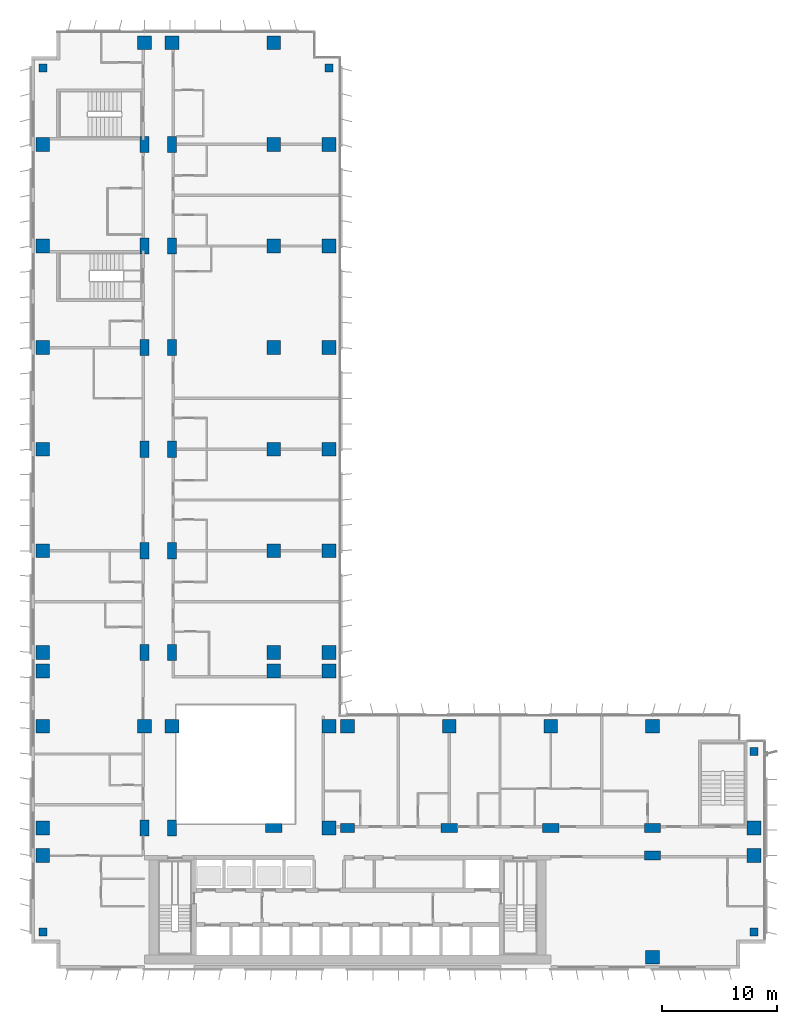
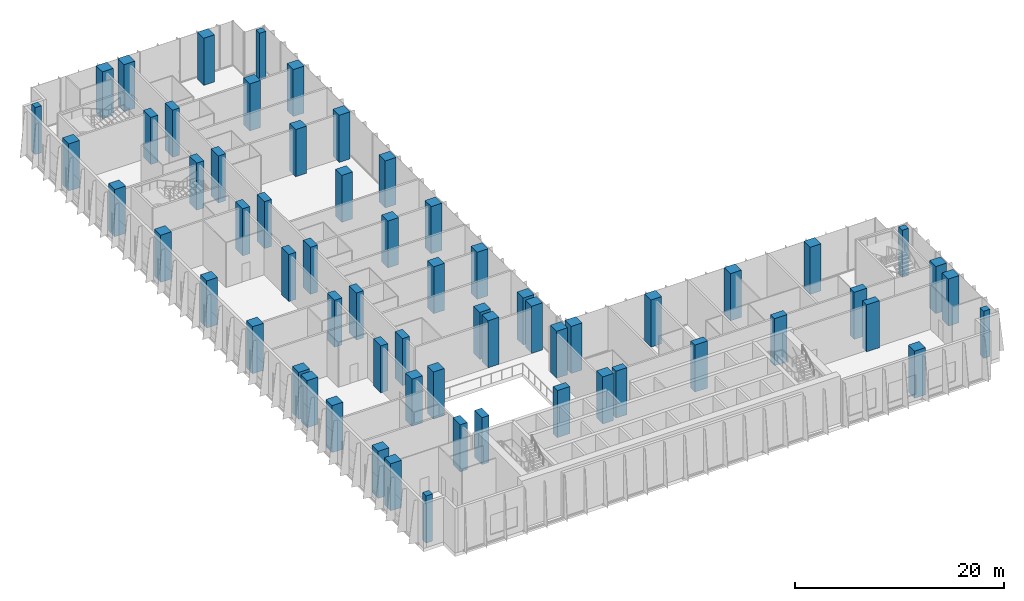
# One storey, part 1 of 26: 63 columns.
"""IFC4 building model written with IfcOpenShell, lengths in metres."""

import ifcopenshell
import ifcopenshell.guid

model = None  # the IFC model being written
_history = None  # IfcOwnerHistory: only IFC2X3 demands one
_inside = {}  # id of a spatial element -> (the spatial element, [elements in it])
_under = {}  # id of a project, library or spatial element -> (it, [spatial elements below it])
_declared = {}  # id of a project -> (the project, [libraries it declares])
_typed = {}  # id of a type object -> (the type object, [elements of that type])
_made_of = {}  # id of a material, layer set ... -> (it, [elements and type objects made of it])


def new_model(schema):
    """Start an empty IFC model of exactly this schema.

    Asked for "IFC4X3", IfcOpenShell would pick the latest addendum, in which some entities
    have other attributes; the version numbers below select the first issue.
    IFC2X3 requires an IfcOwnerHistory on every rooted entity: one is made here for all.
    """
    global model, _history
    if schema == "IFC4X3":
        model = ifcopenshell.file(schema_version=(4, 3, 0, 0))
    else:
        model = ifcopenshell.file(schema=schema)
    _inside.clear()
    _under.clear()
    _declared.clear()
    _typed.clear()
    _made_of.clear()
    _history = None
    if model.schema == "IFC2X3":
        org = make("IfcOrganization", Name="unknown")
        user = make(
            "IfcPersonAndOrganization",
            ThePerson=make("IfcPerson", FamilyName="unknown"),
            TheOrganization=org,
        )
        app = make(
            "IfcApplication",
            ApplicationDeveloper=org,
            Version="unknown",
            ApplicationFullName="unknown",
            ApplicationIdentifier="unknown",
        )
        _history = make(
            "IfcOwnerHistory",
            OwningUser=user,
            OwningApplication=app,
            ChangeAction="ADDED",
            CreationDate=0,
        )
    return model


def make(cls, **values):
    """One entity of the class cls with the attributes given. An attribute that is None is left unset."""
    return model.create_entity(
        cls, **{name: value for name, value in values.items() if value is not None}
    )


def rooted(cls, **values):
    """An entity with a GlobalId (a new one), such as an element, a storey or a relation."""
    return make(cls, GlobalId=ifcopenshell.guid.new(), OwnerHistory=_history, **values)


def si_unit(unit_type, name, prefix=None):
    """IfcSIUnit, for example si_unit("LENGTHUNIT", "METRE", prefix="MILLI")."""
    return make("IfcSIUnit", UnitType=unit_type, Prefix=prefix, Name=name)


def assignment(units):
    """IfcUnitAssignment: the units of a project."""
    return None if units is None else make("IfcUnitAssignment", Units=units)


def point(xyz):
    """IfcCartesianPoint."""
    return None if xyz is None else make("IfcCartesianPoint", Coordinates=xyz)


def direction(xyz):
    """IfcDirection."""
    return None if xyz is None else make("IfcDirection", DirectionRatios=xyz)


def frame(location, z_axis=None, x_axis=None):
    """IfcAxis2Placement3D, a coordinate frame: its origin and axes. An axis left out is left unset."""
    return make(
        "IfcAxis2Placement3D",
        Location=point(location),
        Axis=direction(z_axis),
        RefDirection=direction(x_axis),
    )


def frame_2d(location, x_axis=None):
    """IfcAxis2Placement2D, a coordinate frame in the plane: its origin and x axis."""
    return make(
        "IfcAxis2Placement2D", Location=point(location), RefDirection=direction(x_axis)
    )


def origin():
    """The frame at (0, 0, 0) with its axes left unset."""
    return frame((0.0, 0.0, 0.0))


def origin_2d():
    """The frame at (0, 0) in the plane with its x axis left unset."""
    return frame_2d((0.0, 0.0))


def place(relative_to, where):
    """IfcLocalPlacement: puts the frame where relative to a parent placement (None: the world)."""
    return make(
        "IfcLocalPlacement", PlacementRelTo=relative_to, RelativePlacement=where
    )


def context(
    kind, dimensions, precision=None, world=None, true_north=None, identifier=None
):
    """IfcGeometricRepresentationContext, for example the 3D "Model" context."""
    return make(
        "IfcGeometricRepresentationContext",
        ContextIdentifier=identifier,
        ContextType=kind,
        CoordinateSpaceDimension=dimensions,
        Precision=precision,
        WorldCoordinateSystem=world,
        TrueNorth=true_north,
    )


def subcontext(parent, identifier, kind, view, scale=None):
    """IfcGeometricRepresentationSubContext, for example "Body" below "Model"."""
    return make(
        "IfcGeometricRepresentationSubContext",
        ContextIdentifier=identifier,
        ContextType=kind,
        ParentContext=parent,
        TargetScale=scale,
        TargetView=view,
    )


def project(units=None, contexts=None):
    """IfcProject with its units and contexts."""
    return rooted(
        "IfcProject",
        Name="project",
        RepresentationContexts=contexts,
        UnitsInContext=assignment(units),
    )


def spatial(cls, under=None, at=None, **own):
    """A site, building, storey or space (cls), placed at a placement, below another one or the project."""
    s = rooted(cls, ObjectPlacement=at, **own)
    if under is not None:
        _under.setdefault(under.id(), (under, []))[1].append(s)
    return s


def profile(cls, at=None, kind="AREA", **sizes):
    """A parametric profile (cls). Its sizes go by their IFC names, for example OverallWidth=200.0."""
    return make(cls, ProfileType=kind, Position=at, **sizes)


def rectangle(**sizes):
    """IfcRectangleProfileDef."""
    return profile("IfcRectangleProfileDef", **sizes)


def extrude(swept, where, along, depth):
    """IfcExtrudedAreaSolid: the profile swept, set in the frame where, extruded along a direction by depth."""
    return make(
        "IfcExtrudedAreaSolid",
        SweptArea=swept,
        Position=where,
        ExtrudedDirection=direction(along),
        Depth=depth,
    )


def shape(context_of_items, identifier, shape_type, items):
    """IfcShapeRepresentation: the items that make up one representation, for example the "Body"."""
    return make(
        "IfcShapeRepresentation",
        ContextOfItems=context_of_items,
        RepresentationIdentifier=identifier,
        RepresentationType=shape_type,
        Items=items,
    )


def material(Name=None, Category=None):
    """IfcMaterial."""
    return make("IfcMaterial", Name=Name, Category=Category)


def material_profile(
    of_material, cross_section, Name=None, Category=None, Priority=None
):
    """IfcMaterialProfile: a cross section and its material."""
    return make(
        "IfcMaterialProfile",
        Name=Name,
        Material=of_material,
        Profile=cross_section,
        Priority=Priority,
        Category=Category,
    )


def profile_set(profiles, Name=None, composite=None):
    """IfcMaterialProfileSet."""
    return make(
        "IfcMaterialProfileSet",
        Name=Name,
        MaterialProfiles=profiles,
        CompositeProfile=composite,
    )


def made_of(thing, what):
    """Note that an element or type object is made of a material, layer set ...; save() writes the relation."""
    if what is not None:
        _made_of.setdefault(what.id(), (what, []))[1].append(thing)
    return thing


def type_object(cls, material=None, **own):
    """A type object (cls), such as IfcWallType, which elements share."""
    return made_of(rooted(cls, **own), material)


def element(
    cls,
    number,
    at=None,
    inside=None,
    cuts=None,
    type_object=None,
    material=None,
    context=None,
    identifier="Body",
    shape_type=None,
    held_by="IfcProductDefinitionShape",
    body=None,
    shapes=None,
    **own,
):
    """One element of the class cls, such as IfcWall. Its Tag is "e" and its number.

    at: its placement. inside: the storey or other place that contains it. cuts: it is an
    opening in that element (IfcRelVoidsElement). A single representation is given by context,
    identifier, shape_type and body (its items); several are given by shapes. held_by: the class
    of the entity that holds the representations. save() writes the other relations.
    """
    e = rooted(cls, Tag="e%d" % number, ObjectPlacement=at, **own)
    if body is not None:
        shapes = [shape(context, identifier, shape_type, body)]
    if shapes is not None:
        e.Representation = make(held_by, Representations=shapes)
    if inside is not None:
        _inside.setdefault(inside.id(), (inside, []))[1].append(e)
    if cuts is not None:
        rooted(
            "IfcRelVoidsElement", RelatingBuildingElement=cuts, RelatedOpeningElement=e
        )
    if type_object is not None:
        _typed.setdefault(type_object.id(), (type_object, []))[1].append(e)
    return made_of(e, material)


def aggregate(whole, parts):
    """IfcRelAggregates: a whole, such as a stair, and the parts it consists of."""
    return rooted("IfcRelAggregates", RelatingObject=whole, RelatedObjects=parts)


def save(model, path):
    """Write the relations noted so far, then the file.

    IfcRelAggregates (storeys below a building ...), IfcRelContainedInSpatialStructure (elements
    in a storey), IfcRelDefinesByType, IfcRelAssociatesMaterial and IfcRelDeclares: one each for
    every whole, place, type object, material and project.
    """
    for whole, parts in _under.values():
        aggregate(whole, parts)
    for where, things in _inside.values():
        rooted(
            "IfcRelContainedInSpatialStructure",
            RelatedElements=things,
            RelatingStructure=where,
        )
    for kind, things in _typed.values():
        rooted("IfcRelDefinesByType", RelatedObjects=things, RelatingType=kind)
    for what, things in _made_of.values():
        rooted("IfcRelAssociatesMaterial", RelatedObjects=things, RelatingMaterial=what)
    for by, libraries in _declared.values():
        rooted("IfcRelDeclares", RelatingContext=by, RelatedDefinitions=libraries)
    model.write(path)


model = new_model("IFC4")

# Units and contexts
model_context = context("Model", 3, precision=1e-05, world=origin(), true_north=direction((0.0, 1.0)))
body_context = subcontext(model_context, "Body", "Model", "MODEL_VIEW")
ifc_project = project(units=[si_unit("LENGTHUNIT", "METRE"), si_unit("AREAUNIT", "SQUARE_METRE"), si_unit("VOLUMEUNIT", "CUBIC_METRE"), si_unit("PLANEANGLEUNIT", "RADIAN"), si_unit("MASSUNIT", "GRAM", prefix="KILO")], contexts=[model_context])

# Site, building, storey
site_placement = place(None, origin())
site = spatial("IfcSite", under=ifc_project, at=site_placement, CompositionType="ELEMENT")
building_placement = place(site_placement, origin())
building = spatial("IfcBuilding", under=site, at=building_placement, Name="Kemantara Hotel Tower", CompositionType="ELEMENT")
storey_placement = place(building_placement, frame((0.0, 0.0, 101.89990234375)))
storey = spatial("IfcBuildingStorey", under=building, at=storey_placement, Name="L24", CompositionType="ELEMENT", Elevation=101.89990234375)

# Columns
ifc_material = material(Name="Concrete fc 70 MPa", Category="concrete")
ifc_material_profile_1 = material_profile(ifc_material, rectangle(XDim=1.199951171875, YDim=1.199951171875, at=origin_2d()), Name="RC 1200X1200")
ifc_profile_set_1 = profile_set([ifc_material_profile_1], Name="Concrete fc 70 MPa")
column_type_1 = type_object("IfcColumnType", Name="RC COLUMN 1200X1200 FC70", PredefinedType="COLUMN", material=ifc_profile_set_1)
for number, where, z_axis, x_axis, name in (
    (1, (1.0, 9.800048828125, 0.0), (0.0, 0.0, 1.0), (1.0, 0.0, 0.0), "COLUMN 1/B L24"),
    (2, (1.0, 12.199951171875, 0.0), (0.0, 0.0, 1.0), (1.0, 0.0, 0.0), "COLUMN 1/BA L24"),
    (3, (1.0, 21.0, 0.0), (0.0, 0.0, 1.0), (1.0, 0.0, 0.0), "COLUMN 1/C L24"),
    (4, (1.0, 25.800048828125, 0.0), (0.0, 0.0, 1.0), (1.0, 0.0, 0.0), "COLUMN 1/CA L24"),
    (5, (1.0, 27.39990234375, 0.0), (0.0, 0.0, 1.0), (1.0, 0.0, 0.0), "COLUMN 1/D L24"),
    (6, (1.0, 36.199951171875, 0.0), (0.0, 0.0, 1.0), (1.0, 0.0, 0.0), "COLUMN 1/E L24"),
    (7, (1.0, 45.0, 0.0), (0.0, 0.0, 1.0), (1.0, 0.0, 0.0), "COLUMN 1/F L24"),
    (8, (1.0, 53.800048828125, 0.0), (0.0, 0.0, 1.0), (1.0, 0.0, 0.0), "COLUMN 1/G L24"),
    (9, (1.0, 62.60009765625, 0.0), (0.0, 0.0, 1.0), (1.0, 0.0, 0.0), "COLUMN 1/H L24"),
    (10, (1.0, 71.39990234375, 0.0), (0.0, 0.0, 1.0), (1.0, 0.0, 0.0), "COLUMN 1/J L24"),
    (11, (9.800048828125, 21.0, 0.0), (0.0, 0.0, 1.0), (1.0, 0.0, 0.0), "COLUMN 2/C L24"),
    (12, (9.800048828125, 80.199951171875, 0.0), (0.0, 0.0, 1.0), (1.0, 0.0, 0.0), "COLUMN 2/K L24"),
    (13, (12.199951171875, 21.0, 0.0), (0.0, 0.0, 1.0), (1.0, 0.0, 0.0), "COLUMN 2A/C L24"),
    (14, (12.199951171875, 80.199951171875, 0.0), (0.0, 0.0, 1.0), (1.0, 0.0, 0.0), "COLUMN 2A/K L24"),
    (15, (21.0, 25.800048828125, 0.0), (0.0, 0.0, 1.0), (1.0, 0.0, 0.0), "COLUMN 3/CA L24"),
    (16, (21.0, 27.39990234375, 0.0), (0.0, 0.0, 1.0), (1.0, 0.0, 0.0), "COLUMN 3/D L24"),
    (17, (21.0, 36.199951171875, 0.0), (0.0, 0.0, 1.0), (1.0, 0.0, 0.0), "COLUMN 3/E L24"),
    (18, (21.0, 45.0, 0.0), (0.0, 0.0, 1.0), (1.0, 0.0, 0.0), "COLUMN 3/F L24"),
    (19, (21.0, 53.800048828125, 0.0), (0.0, 0.0, 1.0), (1.0, 0.0, 0.0), "COLUMN 3/G L24"),
    (20, (21.0, 62.60009765625, 0.0), (0.0, 0.0, 1.0), (1.0, 0.0, 0.0), "COLUMN 3/H L24"),
    (21, (21.0, 71.39990234375, 0.0), (0.0, 0.0, 1.0), (1.0, 0.0, 0.0), "COLUMN 3/J L24"),
    (22, (21.0, 80.199951171875, 0.0), (0.0, 0.0, 1.0), (1.0, 0.0, 0.0), "COLUMN 3/K L24"),
    (23, (25.800048828125, 12.199951171875, 0.0), (0.0, 0.0, 1.0), (1.0, 0.0, 0.0), "COLUMN 3A/BA L24"),
    (24, (25.800048828125, 21.0, 0.0), (0.0, 0.0, 1.0), (1.0, 0.0, 0.0), "COLUMN 3A/C L24"),
    (25, (25.800048828125, 25.800048828125, 0.0), (0.0, 0.0, 1.0), (1.0, 0.0, 0.0), "COLUMN 3A/CA L24"),
    (26, (25.800048828125, 27.39990234375, 0.0), (0.0, 0.0, 1.0), (1.0, 0.0, 0.0), "COLUMN 3A/D L24"),
    (27, (25.800048828125, 36.199951171875, 0.0), (0.0, 0.0, 1.0), (1.0, 0.0, 0.0), "COLUMN 3A/E L24"),
    (28, (25.800048828125, 45.0, 0.0), (0.0, 0.0, 1.0), (1.0, 0.0, 0.0), "COLUMN 3A/F L24"),
    (29, (25.800048828125, 53.800048828125, 0.0), (0.0, 0.0, 1.0), (1.0, 0.0, 0.0), "COLUMN 3A/G L24"),
    (30, (25.800048828125, 62.60009765625, 0.0), (0.0, 0.0, 1.0), (1.0, 0.0, 0.0), "COLUMN 3A/H L24"),
    (31, (25.800048828125, 71.39990234375, 0.0), (0.0, 0.0, 1.0), (1.0, 0.0, 0.0), "COLUMN 3A/J L24"),
    (32, (27.39990234375, 21.0, 0.0), (0.0, 0.0, 1.0), (1.0, 0.0, 0.0), "COLUMN 4/C L24"),
    (33, (36.199951171875, 21.0, 0.0), (0.0, 0.0, 1.0), (1.0, 0.0, 0.0), "COLUMN 5/C L24"),
    (34, (45.0, 21.0, 0.0), (0.0, 0.0, 1.0), (1.0, 0.0, 0.0), "COLUMN 6/C L24"),
    (35, (53.800048828125, 1.0, 0.0), (0.0, 0.0, 1.0), (1.0, 0.0, 0.0), "COLUMN 7/A L24"),
    (36, (53.800048828125, 21.0, 0.0), (0.0, 0.0, 1.0), (1.0, 0.0, 0.0), "COLUMN 7/C L24"),
    (37, (62.60009765625, 9.800048828125, 0.0), (0.0, 0.0, 1.0), (1.0, 0.0, 0.0), "COLUMN 8/B L24"),
    (38, (62.60009765625, 12.199951171875, 0.0), (0.0, 0.0, 1.0), (1.0, 0.0, 0.0), "COLUMN 8/BA L24"),
):
    element("IfcColumn", number, at=place(storey_placement, frame(where, z_axis=z_axis, x_axis=x_axis)), inside=storey, type_object=column_type_1, Name=name, PredefinedType="COLUMN", context=body_context, shape_type="SweptSolid", body=[
        extrude(rectangle(XDim=1.199951171875, YDim=1.199951171875, at=origin_2d()), origin(), (0.0, 0.0, 1.0), 5.5),
    ])
ifc_material_profile_2 = material_profile(ifc_material, rectangle(XDim=1.199951171875, YDim=0.800048828125, at=origin_2d()), Name="RC 1200X800")
ifc_profile_set_2 = profile_set([ifc_material_profile_2], Name="Concrete fc 70 MPa")
column_type_2 = type_object("IfcColumnType", Name="RC COLUMN 1200X800 FC70", PredefinedType="COLUMN", material=ifc_profile_set_2)
column_placement = place(storey_placement, frame((27.39990234375, 12.199951171875, 0.0), z_axis=(0.0, 0.0, 1.0), x_axis=(1.0, 0.0, 0.0)))
element("IfcColumn", 39, at=column_placement, inside=storey, type_object=column_type_2, Name="COLUMN 4/BA L24", PredefinedType="COLUMN", context=body_context, shape_type="SweptSolid", body=[
    extrude(rectangle(XDim=1.199951171875, YDim=0.800048828125, at=origin_2d()), origin(), (0.0, 0.0, 1.0), 5.5),
])
ifc_material_profile_3 = material_profile(ifc_material, rectangle(XDim=1.39990234375, YDim=0.800048828125, at=origin_2d()), Name="RC 1400X800")
ifc_profile_set_3 = profile_set([ifc_material_profile_3], Name="Concrete fc 70 MPa")
column_type_3 = type_object("IfcColumnType", Name="RC COLUMN 1400X800 FC70", PredefinedType="COLUMN", material=ifc_profile_set_3)
for number, where, z_axis, x_axis, name in (
    (40, (9.800048828125, 12.199951171875, 0.0), (0.0, 0.0, 1.0), (0.0, 1.0, 0.0), "COLUMN 2/BA L24"),
    (41, (9.800048828125, 27.39990234375, 0.0), (0.0, 0.0, 1.0), (0.0, 1.0, 0.0), "COLUMN 2/D L24"),
    (42, (9.800048828125, 36.199951171875, 0.0), (0.0, 0.0, 1.0), (0.0, 1.0, 0.0), "COLUMN 2/E L24"),
    (43, (9.800048828125, 45.0, 0.0), (0.0, 0.0, 1.0), (0.0, 1.0, 0.0), "COLUMN 2/F L24"),
    (44, (9.800048828125, 53.800048828125, 0.0), (0.0, 0.0, 1.0), (0.0, 1.0, 0.0), "COLUMN 2/G L24"),
    (45, (9.800048828125, 62.60009765625, 0.0), (0.0, 0.0, 1.0), (0.0, 1.0, 0.0), "COLUMN 2/H L24"),
    (46, (9.800048828125, 71.39990234375, 0.0), (0.0, 0.0, 1.0), (0.0, 1.0, 0.0), "COLUMN 2/J L24"),
    (47, (12.199951171875, 12.199951171875, 0.0), (0.0, 0.0, 1.0), (0.0, 1.0, 0.0), "COLUMN 2A/BA L24"),
    (48, (12.199951171875, 27.39990234375, 0.0), (0.0, 0.0, 1.0), (0.0, 1.0, 0.0), "COLUMN 2A/D L24"),
    (49, (12.199951171875, 36.199951171875, 0.0), (0.0, 0.0, 1.0), (0.0, 1.0, 0.0), "COLUMN 2A/E L24"),
    (50, (12.199951171875, 45.0, 0.0), (0.0, 0.0, 1.0), (0.0, 1.0, 0.0), "COLUMN 2A/F L24"),
    (51, (12.199951171875, 53.800048828125, 0.0), (0.0, 0.0, 1.0), (0.0, 1.0, 0.0), "COLUMN 2A/G L24"),
    (52, (12.199951171875, 62.60009765625, 0.0), (0.0, 0.0, 1.0), (0.0, 1.0, 0.0), "COLUMN 2A/H L24"),
    (53, (12.199951171875, 71.39990234375, 0.0), (0.0, 0.0, 1.0), (0.0, 1.0, 0.0), "COLUMN 2A/J L24"),
    (54, (21.0, 12.199951171875, 0.0), (0.0, 0.0, 1.0), (1.0, 0.0, 0.0), "COLUMN 3/BA L24"),
    (55, (36.199951171875, 12.199951171875, 0.0), (0.0, 0.0, 1.0), (1.0, 0.0, 0.0), "COLUMN 5/BA L24"),
    (56, (45.0, 12.199951171875, 0.0), (0.0, 0.0, 1.0), (1.0, 0.0, 0.0), "COLUMN 6/BA L24"),
    (57, (53.800048828125, 9.800048828125, 0.0), (0.0, 0.0, 1.0), (1.0, 0.0, 0.0), "COLUMN 7/B L24"),
    (58, (53.800048828125, 12.199951171875, 0.0), (0.0, 0.0, 1.0), (1.0, 0.0, 0.0), "COLUMN 7/BA L24"),
):
    element("IfcColumn", number, at=place(storey_placement, frame(where, z_axis=z_axis, x_axis=x_axis)), inside=storey, type_object=column_type_3, Name=name, PredefinedType="COLUMN", context=body_context, shape_type="SweptSolid", body=[
        extrude(rectangle(XDim=1.39990234375, YDim=0.800048828125, at=origin_2d()), origin(), (0.0, 0.0, 1.0), 5.5),
    ])
ifc_material_profile_4 = material_profile(ifc_material, rectangle(XDim=0.699951171875, YDim=0.699951171875, at=origin_2d()), Name="RC 700X700")
ifc_profile_set_4 = profile_set([ifc_material_profile_4], Name="Concrete fc 70 MPa")
column_type_4 = type_object("IfcColumnType", Name="RC COLUMN 700X700 FC70", PredefinedType="COLUMN", material=ifc_profile_set_4)
for number, where, z_axis, x_axis, name in (
    (59, (1.0, 3.199951171875, 0.0), (0.0, 0.0, 1.0), (1.0, 0.0, 0.0), "COLUMN notch corner L24"),
    (60, (1.0, 78.0, 0.0), (0.0, 0.0, 1.0), (1.0, 0.0, 0.0), "COLUMN notch corner L24"),
    (61, (25.800048828125, 78.0, 0.0), (0.0, 0.0, 1.0), (1.0, 0.0, 0.0), "COLUMN notch corner L24"),
    (62, (62.60009765625, 3.199951171875, 0.0), (0.0, 0.0, 1.0), (1.0, 0.0, 0.0), "COLUMN notch corner L24"),
    (63, (62.60009765625, 18.800048828125, 0.0), (0.0, 0.0, 1.0), (1.0, 0.0, 0.0), "COLUMN notch corner L24"),
):
    element("IfcColumn", number, at=place(storey_placement, frame(where, z_axis=z_axis, x_axis=x_axis)), inside=storey, type_object=column_type_4, Name=name, PredefinedType="COLUMN", context=body_context, shape_type="SweptSolid", body=[
        extrude(rectangle(XDim=0.699951171875, YDim=0.699951171875, at=origin_2d()), origin(), (0.0, 0.0, 1.0), 5.5),
    ])

save(model, "model.ifc")
